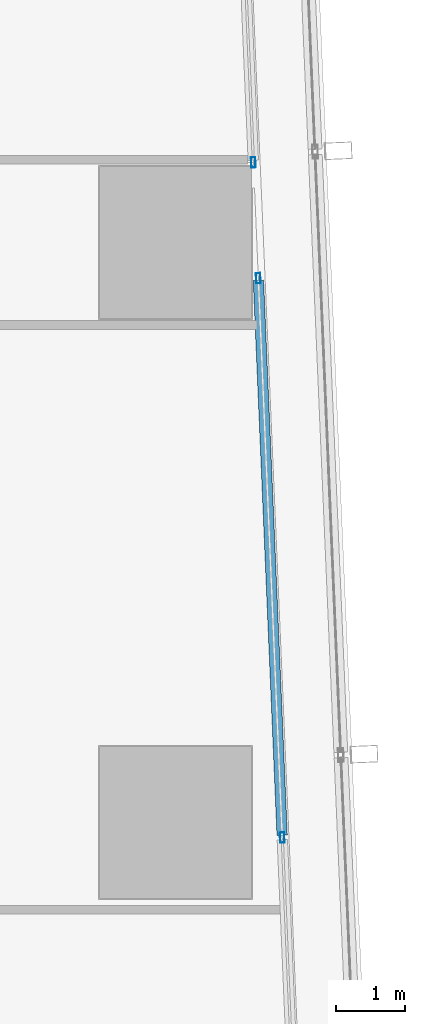
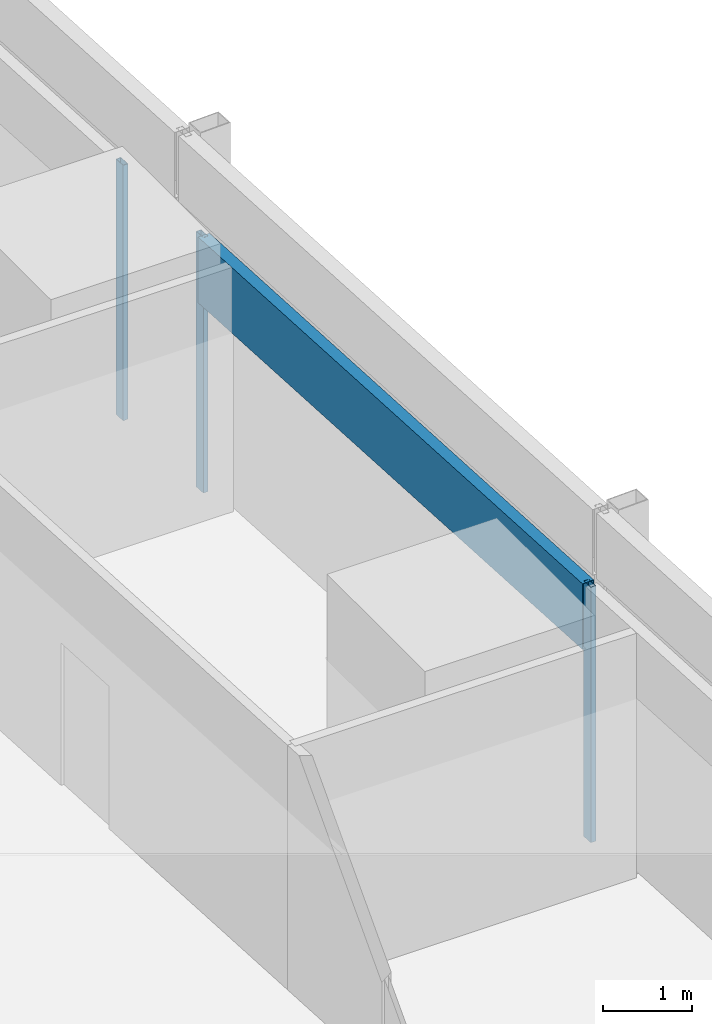
# One storey, part 20 of 45: 4 members, 2 elements without a shape of their own.
"""IFC4 building model written with IfcOpenShell, lengths in metres."""

from ifc_helpers import new_model, si_unit, direction, frame, origin, origin_2d, place, context, subcontext, project, spatial, hollow_rectangle, extrude, material, material_profile, profile_set, type_object, element, aggregate, save


model = new_model("IFC4")

# Units and contexts
model_context = context("Model", 3, precision=1e-05, world=origin(), true_north=direction((0.0, 1.0)))
body_context = subcontext(model_context, "Body", "Model", "MODEL_VIEW")
ifc_project = project(units=[si_unit("LENGTHUNIT", "METRE"), si_unit("AREAUNIT", "SQUARE_METRE"), si_unit("VOLUMEUNIT", "CUBIC_METRE"), si_unit("PLANEANGLEUNIT", "RADIAN"), si_unit("MASSUNIT", "GRAM", prefix="KILO")], contexts=[model_context])

# Site, building, storey
site_placement = place(None, origin())
site = spatial("IfcSite", under=ifc_project, at=site_placement, CompositionType="ELEMENT")
building_placement = place(site_placement, origin())
building = spatial("IfcBuilding", under=site, at=building_placement, Name="Rekha Terrace Tower", CompositionType="ELEMENT")
storey_placement = place(building_placement, frame((0.0, 0.0, 32.89990234375)))
storey = spatial("IfcBuildingStorey", under=building, at=storey_placement, Name="L07", CompositionType="ELEMENT", Elevation=32.89990234375)

# Curtain wall, members
ifc_material_1 = material(Name="Aluminium framing", Category="aluminium")
curtain_wall_type = type_object("IfcCurtainWallType", Name="CW1 double skin inner glazing", PredefinedType="USERDEFINED", material=ifc_material_1)
curtain_wall_1_placement = place(storey_placement, origin())
curtain_wall_1 = element("IfcCurtainWall", 1, at=curtain_wall_1_placement, inside=storey, type_object=curtain_wall_type, Name="CW1 double skin inner glazing", ObjectType="DOUBLE SKIN INNER GLAZING", PredefinedType="USERDEFINED")
ifc_material_2 = material(Name="Aluminium mullion section", Category="aluminium")
ifc_material_profile_1 = material_profile(ifc_material_2, hollow_rectangle(XDim=0.06494140625, YDim=0.14990234375, WallThickness=0.00390625, at=origin_2d()), Name="AL RHS 65x150")
ifc_profile_set_1 = profile_set([ifc_material_profile_1], Name="Aluminium mullion section")
member_type_1 = type_object("IfcMemberType", Name="CW1 mullion RHS 65 x 150", PredefinedType="MULLION", material=ifc_profile_set_1)
member_1_placement = place(storey_placement, frame((68.7431640625, 41.781494140625, 0.0), z_axis=(0.0, 0.0, 1.0), x_axis=(-0.999088106904, -0.042696072921, 0.0)))
member_1 = element("IfcMember", 2, at=member_1_placement, type_object=member_type_1, Name="CW1 mullion 3", PredefinedType="MULLION", context=body_context, shape_type="SweptSolid", body=[
    extrude(hollow_rectangle(XDim=0.06494140625, YDim=0.14990234375, WallThickness=0.00390625, at=origin_2d()), origin(), (0.0, 0.0, 1.0), 3.5),
])
member_2_placement = place(storey_placement, frame((68.397216796875, 49.8798828125, 0.0), z_axis=(0.0, 0.0, 1.0), x_axis=(-0.999088106904, -0.042696072921, 0.0)))
member_2 = element("IfcMember", 3, at=member_2_placement, type_object=member_type_1, Name="CW1 mullion 4", PredefinedType="MULLION", context=body_context, shape_type="SweptSolid", body=[
    extrude(hollow_rectangle(XDim=0.06494140625, YDim=0.14990234375, WallThickness=0.00390625, at=origin_2d()), origin(), (0.0, 0.0, 1.0), 3.5),
])

# Curtain wall, member
curtain_wall_2_placement = place(storey_placement, origin())
curtain_wall_2 = element("IfcCurtainWall", 4, at=curtain_wall_2_placement, inside=storey, type_object=curtain_wall_type, Name="CW1 double skin inner glazing", ObjectType="DOUBLE SKIN INNER GLAZING", PredefinedType="USERDEFINED")
member_3_placement = place(storey_placement, frame((68.325439453125, 51.556396484375, 0.0), z_axis=(0.0, 0.0, 1.0), x_axis=(-0.9990881069, -0.042696073026, 0.0)))
member_3 = element("IfcMember", 5, at=member_3_placement, type_object=member_type_1, Name="CW1 mullion 1", PredefinedType="MULLION", context=body_context, shape_type="SweptSolid", body=[
    extrude(hollow_rectangle(XDim=0.06494140625, YDim=0.14990234375, WallThickness=0.00390625, at=origin_2d()), origin(), (0.0, 0.0, 1.0), 3.5),
])
aggregate(curtain_wall_2, [member_3])

# Member
ifc_material_3 = material(Name="Insulated aluminium spandrel box", Category="aluminium")
ifc_material_profile_2 = material_profile(ifc_material_3, hollow_rectangle(XDim=0.14990234375, YDim=0.89990234375, WallThickness=0.0029296875, at=origin_2d()), Name="AL SPANDREL BOX 150x900")
ifc_profile_set_2 = profile_set([ifc_material_profile_2], Name="Insulated aluminium spandrel box")
member_type_2 = type_object("IfcMemberType", Name="CW1 spandrel transom 150 x 900", PredefinedType="USERDEFINED", material=ifc_profile_set_2)
member_4_placement = place(storey_placement, frame((68.741943359375, 41.81396484375, 3.050048828125), z_axis=(-0.042720422486, 0.999087066027, 0.0), x_axis=(-0.999087066027, -0.042720422486, 0.0)))
member_4 = element("IfcMember", 6, at=member_4_placement, type_object=member_type_2, Name="CW1 spandrel transom 3", ObjectType="TRANSOM", PredefinedType="USERDEFINED", context=body_context, shape_type="SweptSolid", body=[
    extrude(hollow_rectangle(XDim=0.14990234375, YDim=0.89990234375, WallThickness=0.0029296875, at=origin_2d()), origin(), (0.0, 0.0, 1.0), 8.040771484375),
])

aggregate(curtain_wall_1, [member_1, member_2, member_4])

save(model, "model.ifc")
